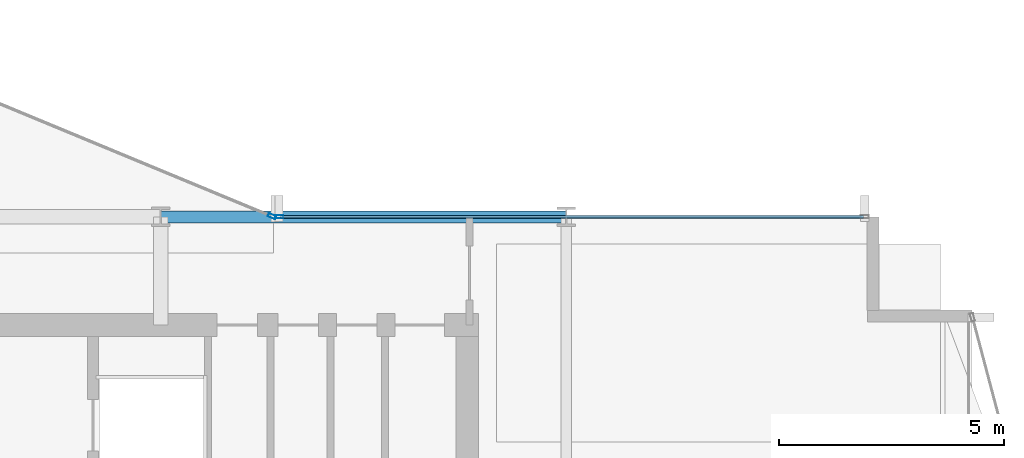
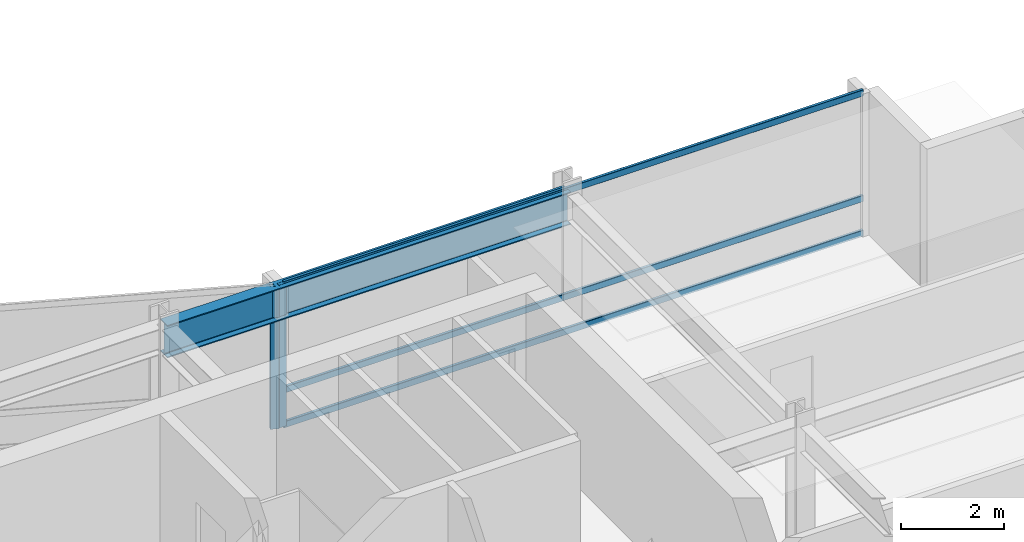
# One storey, part 13 of 29: 5 members, 1 beam, 2 elements without a shape of their own.
"""IFC4 building model written with IfcOpenShell, lengths in metres."""

from ifc_helpers import new_model, si_unit, direction, frame, origin, origin_2d, place, context, subcontext, project, spatial, hollow_rectangle, i_section, extrude, material, layer, layer_set, material_profile, profile_set, type_object, element, aggregate, save


model = new_model("IFC4")

# Units and contexts
model_context = context("Model", 3, precision=1e-05, world=origin(), true_north=direction((0.0, 1.0)))
body_context = subcontext(model_context, "Body", "Model", "MODEL_VIEW")
ifc_project = project(units=[si_unit("LENGTHUNIT", "METRE"), si_unit("AREAUNIT", "SQUARE_METRE"), si_unit("VOLUMEUNIT", "CUBIC_METRE"), si_unit("PLANEANGLEUNIT", "RADIAN"), si_unit("MASSUNIT", "GRAM", prefix="KILO")], contexts=[model_context])

# Site, building, storey
site_placement = place(None, origin())
site = spatial("IfcSite", under=ifc_project, at=site_placement, CompositionType="ELEMENT")
building_placement = place(site_placement, origin())
building = spatial("IfcBuilding", under=site, at=building_placement, Name="Solvaryn Broadcast Tower", CompositionType="ELEMENT")
storey_placement = place(building_placement, frame((0.0, 0.0, 165.5)))
storey = spatial("IfcBuildingStorey", under=building, at=storey_placement, Name="L41", CompositionType="ELEMENT", Elevation=165.5)

# Beam
ifc_material_1 = material(Name="Steel ASTM A992 Grade 50", Category="steel")
ifc_material_profile_1 = material_profile(ifc_material_1, i_section(OverallWidth=0.26708984375, OverallDepth=0.76611328125, WebThickness=0.014892578125, FlangeThickness=0.023681640625, FilletRadius=0.01806640625, at=origin_2d()))
ifc_profile_set_1 = profile_set([ifc_material_profile_1], Name="Steel ASTM A992 Grade 50")
beam_type = type_object("IfcBeamType", Name="BM-SP2-W30X124", PredefinedType="USERDEFINED", material=ifc_profile_set_1)
beam_placement = place(storey_placement, frame((36.0, 27.0, 2.987060546875), z_axis=(1.0, 0.0, 0.0), x_axis=(0.0, 1.0, 0.0)))
element("IfcBeam", 1, at=beam_placement, inside=storey, type_object=beam_type, Name="L41 Spandrel Beam X (36-45 @ Y=27)", ObjectType="SPANDREL", PredefinedType="USERDEFINED", context=body_context, shape_type="SweptSolid", body=[
    extrude(i_section(OverallWidth=0.26708984375, OverallDepth=0.76611328125, WebThickness=0.014892578125, FlangeThickness=0.023681640625, FilletRadius=0.01806640625, at=origin_2d()), origin(), (0.0, 0.0, 1.0), 9.0),
])

# Curtain wall, member
ifc_material_2 = material(Name="Aluminium and Terracotta Unitised Curtain Wall", Category="masonry")
ifc_layer = layer(ifc_material_2, 0.199951171875)
ifc_layer_set = layer_set([ifc_layer], Name="CW-SYS2-LOWMID")
curtain_wall_type = type_object("IfcCurtainWallType", Name="CW-SYS2-LOWMID", PredefinedType="NOTDEFINED", material=ifc_layer_set)
curtain_wall_1_placement = place(storey_placement, origin())
curtain_wall_1 = element("IfcCurtainWall", 2, at=curtain_wall_1_placement, inside=storey, type_object=curtain_wall_type, Name="L41 Curtain Wall CN1", PredefinedType="NOTDEFINED")
ifc_material_3 = material(Name="Anodised Aluminium 6063-T6", Category="aluminium")
ifc_material_profile_2 = material_profile(ifc_material_3, hollow_rectangle(XDim=0.074951171875, YDim=0.179931640625, WallThickness=0.00390625, InnerFilletRadius=0.00390625, OuterFilletRadius=0.008056640625, at=origin_2d()))
ifc_profile_set_2 = profile_set([ifc_material_profile_2], Name="Anodised Aluminium 6063-T6")
member_type_1 = type_object("IfcMemberType", Name="CW-MUL-180", PredefinedType="MULLION", material=ifc_profile_set_2)
member_1_placement = place(storey_placement, frame((38.47216796875, 27.011474609375, 0.0), z_axis=(0.0, 0.0, 1.0), x_axis=(-0.382646127145, -0.923894983957, 0.0)))
member_1 = element("IfcMember", 3, at=member_1_placement, type_object=member_type_1, Name="CWS2 mullion 1", PredefinedType="MULLION", context=body_context, shape_type="SweptSolid", body=[
    extrude(hollow_rectangle(XDim=0.074951171875, YDim=0.179931640625, WallThickness=0.00390625, InnerFilletRadius=0.00390625, OuterFilletRadius=0.008056640625, at=origin_2d()), origin(), (0.0, 0.0, 1.0), 3.3701171875),
])
aggregate(curtain_wall_1, [member_1])

# Curtain wall, members
curtain_wall_2_placement = place(storey_placement, origin())
curtain_wall_2 = element("IfcCurtainWall", 4, at=curtain_wall_2_placement, inside=storey, type_object=curtain_wall_type, Name="L41 Curtain Wall IH", PredefinedType="NOTDEFINED")
member_2_placement = place(storey_placement, frame((38.6298828125, 27.0, 0.0), z_axis=(0.0, 0.0, 1.0), x_axis=(0.0, 1.0, 0.0)))
member_2 = element("IfcMember", 5, at=member_2_placement, type_object=member_type_1, Name="CWS2 mullion 1", PredefinedType="MULLION", context=body_context, shape_type="SweptSolid", body=[
    extrude(hollow_rectangle(XDim=0.074951171875, YDim=0.179931640625, WallThickness=0.00390625, InnerFilletRadius=0.00390625, OuterFilletRadius=0.008056640625, at=origin_2d()), origin(), (0.0, 0.0, 1.0), 3.3701171875),
])
ifc_material_4 = material(Name="Anodised Aluminium 6063-T6", Category="aluminium")
ifc_material_profile_3 = material_profile(ifc_material_4, hollow_rectangle(XDim=0.06494140625, YDim=0.14990234375, WallThickness=0.00390625, InnerFilletRadius=0.00390625, OuterFilletRadius=0.008056640625, at=origin_2d()))
ifc_profile_set_3 = profile_set([ifc_material_profile_3], Name="Anodised Aluminium 6063-T6")
member_type_2 = type_object("IfcMemberType", Name="CW-TRN-150", PredefinedType="USERDEFINED", material=ifc_profile_set_3)
member_3_placement = place(storey_placement, frame((38.659912109375, 27.0, 0.030029296875), z_axis=(1.0, 0.0, 0.0), x_axis=(0.0, 1.0, 0.0)))
member_3 = element("IfcMember", 6, at=member_3_placement, type_object=member_type_2, Name="CWS2 transom 1.1", ObjectType="TRANSOM", PredefinedType="USERDEFINED", context=body_context, shape_type="SweptSolid", body=[
    extrude(hollow_rectangle(XDim=0.06494140625, YDim=0.14990234375, WallThickness=0.00390625, InnerFilletRadius=0.00390625, OuterFilletRadius=0.008056640625, at=origin_2d()), origin(), (0.0, 0.0, 1.0), 12.93017578125),
])
member_4_placement = place(storey_placement, frame((38.659912109375, 27.0, 0.85009765625), z_axis=(1.0, 0.0, 0.0), x_axis=(0.0, 1.0, 0.0)))
member_4 = element("IfcMember", 7, at=member_4_placement, type_object=member_type_2, Name="CWS2 transom 1.2", ObjectType="TRANSOM", PredefinedType="USERDEFINED", context=body_context, shape_type="SweptSolid", body=[
    extrude(hollow_rectangle(XDim=0.06494140625, YDim=0.14990234375, WallThickness=0.00390625, InnerFilletRadius=0.00390625, OuterFilletRadius=0.008056640625, at=origin_2d()), origin(), (0.0, 0.0, 1.0), 12.93017578125),
])
member_5_placement = place(storey_placement, frame((38.659912109375, 27.0, 3.340087890625), z_axis=(1.0, 0.0, 0.0), x_axis=(0.0, 1.0, 0.0)))
member_5 = element("IfcMember", 8, at=member_5_placement, type_object=member_type_2, Name="CWS2 transom 1.3", ObjectType="TRANSOM", PredefinedType="USERDEFINED", context=body_context, shape_type="SweptSolid", body=[
    extrude(hollow_rectangle(XDim=0.06494140625, YDim=0.14990234375, WallThickness=0.00390625, InnerFilletRadius=0.00390625, OuterFilletRadius=0.008056640625, at=origin_2d()), origin(), (0.0, 0.0, 1.0), 12.93017578125),
])
aggregate(curtain_wall_2, [member_2, member_3, member_4, member_5])

save(model, "model.ifc")
